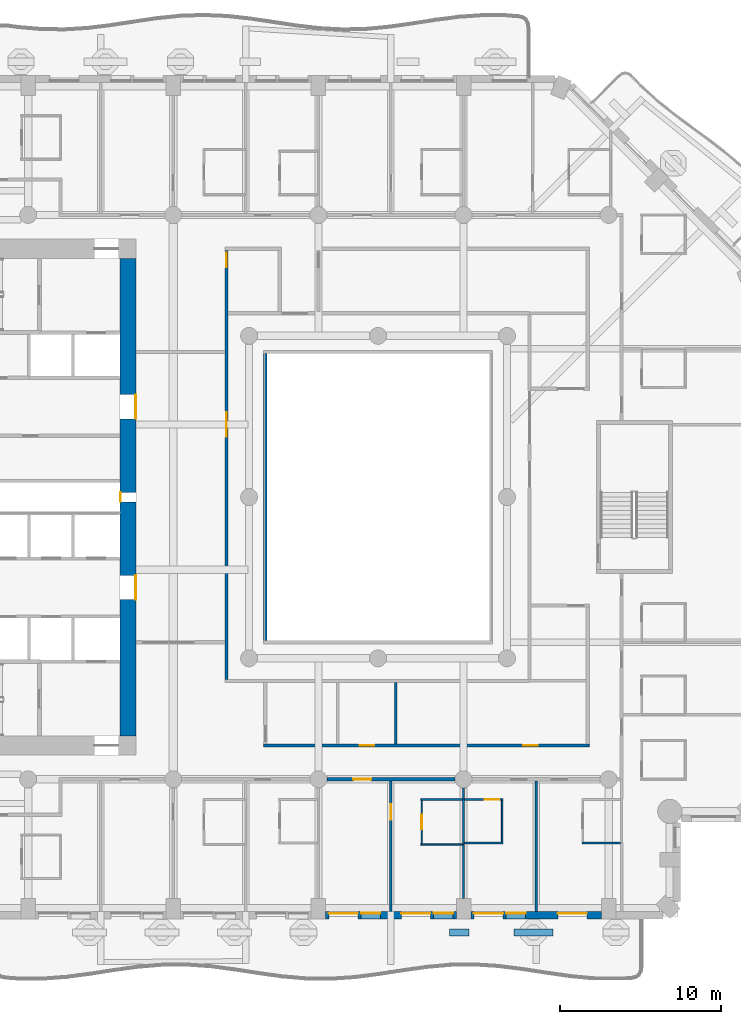
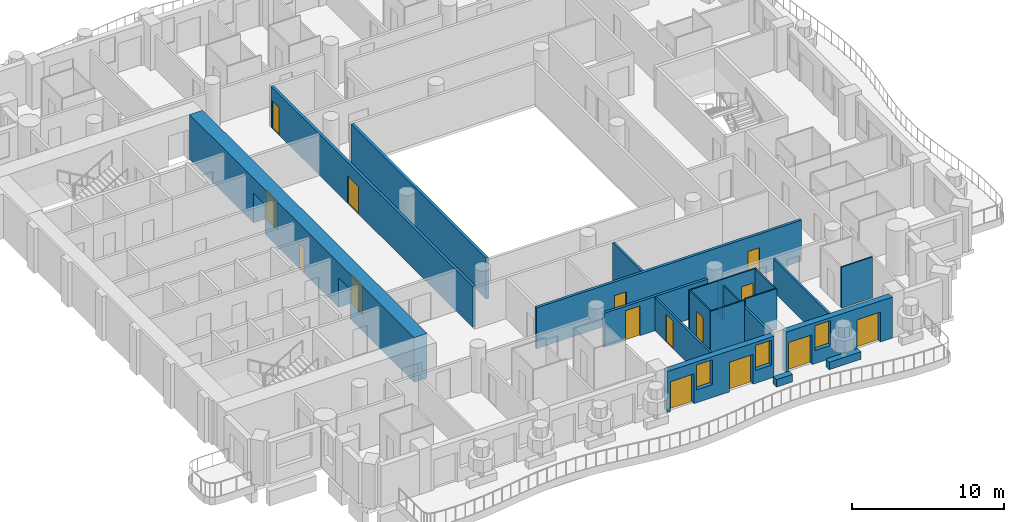
# One storey, part 5 of 20: 21 walls, 15 doors, 3 windows, 18 openings.
"""IFC4 building model written with IfcOpenShell, lengths in metres."""

from ifc_helpers import new_model, si_unit, direction, frame, frame_2d, origin, place, context, subcontext, project, spatial, rectangle, extrude, material, layer, layer_set, type_object, element, fill, save


model = new_model("IFC4")

# Units and contexts
model_context = context("Model", 3, precision=1e-05, world=origin(), true_north=direction((0.0, 1.0)))
body_context = subcontext(model_context, "Body", "Model", "MODEL_VIEW")
ifc_project = project(units=[si_unit("LENGTHUNIT", "METRE"), si_unit("AREAUNIT", "SQUARE_METRE"), si_unit("VOLUMEUNIT", "CUBIC_METRE"), si_unit("PLANEANGLEUNIT", "RADIAN"), si_unit("MASSUNIT", "GRAM", prefix="KILO")], contexts=[model_context])

# Site, building, storey
site_placement = place(None, origin())
site = spatial("IfcSite", under=ifc_project, at=site_placement, CompositionType="ELEMENT")
building_placement = place(site_placement, origin())
building = spatial("IfcBuilding", under=site, at=building_placement, Name="Cypress Arch Tower", CompositionType="ELEMENT")
storey_placement = place(building_placement, frame((0.0, 0.0, 116.699951171875)))
storey = spatial("IfcBuildingStorey", under=building, at=storey_placement, Name="L24", CompositionType="ELEMENT", Elevation=116.699951171875)

# Walls
ifc_material_1 = material(Name="Concrete C40/50, waterproofed", Category="concrete")
ifc_layer_1 = layer(ifc_material_1, 0.449951171875)
ifc_layer_set_1 = layer_set([ifc_layer_1], Name="Balcony planter wall PW450")
wall_type_1 = type_object("IfcWallType", Name="Balcony planter wall PW450", PredefinedType="SOLIDWALL", material=ifc_layer_set_1)
wall_1_placement = place(storey_placement, frame((5.419921875, -27.0, 0.0), z_axis=(0.0, 0.0, 1.0), x_axis=(1.0, 0.0, 0.0)))
element("IfcWall", 1, at=wall_1_placement, inside=storey, type_object=wall_type_1, Name="Balcony planter wall L24-A03.5", PredefinedType="SOLIDWALL", context=body_context, shape_type="SweptSolid", body=[
    extrude(rectangle(XDim=1.22998046875, YDim=0.449951171875, at=frame_2d((0.614990234375, 0.0))), origin(), (0.0, 0.0, 1.0), 0.60009765625),
])
wall_2_placement = place(storey_placement, frame((9.429931640625, -27.0, 0.0), z_axis=(0.0, 0.0, 1.0), x_axis=(1.0, 0.0, 0.0)))
element("IfcWall", 2, at=wall_2_placement, inside=storey, type_object=wall_type_1, Name="Balcony planter wall L24-A03.6", PredefinedType="SOLIDWALL", context=body_context, shape_type="SweptSolid", body=[
    extrude(rectangle(XDim=2.420166015625, YDim=0.449951171875, at=frame_2d((1.2099609375, 0.0))), origin(), (0.0, 0.0, 1.0), 0.60009765625),
])

# Wall, openings, doors, windows
ifc_material_2 = material(Name="Brick (red buff blend)", Category="masonry")
ifc_layer_2 = layer(ifc_material_2, 0.449951171875)
ifc_layer_set_2 = layer_set([ifc_layer_2], Name="Brick pier and spandrel wall BW450")
wall_type_2 = type_object("IfcWallType", Name="Brick pier and spandrel wall BW450", PredefinedType="SOLIDWALL", material=ifc_layer_set_2)
wall_3_placement = place(storey_placement, frame((-2.25, -25.925048828125, 0.0), z_axis=(0.0, 0.0, 1.0), x_axis=(1.0, 0.0, 0.0)))
wall_3 = element("IfcWall", 3, at=wall_3_placement, inside=storey, type_object=wall_type_2, Name="Brick wall L24 A03.3", PredefinedType="SOLIDWALL", context=body_context, shape_type="SweptSolid", body=[
    extrude(rectangle(XDim=8.10009765625, YDim=0.449951171875, at=frame_2d((4.050048828125, 0.0))), origin(), (0.0, 0.0, 1.0), 3.300048828125),
])
opening_1_placement = place(wall_3_placement, frame((0.199951171875, 0.0, 0.0)))
opening_1 = element("IfcOpeningElement", 4, at=opening_1_placement, cuts=wall_3, Name="Opening D-L24-A03.3.1", PredefinedType="OPENING", context=body_context, shape_type="SweptSolid", body=[
    extrude(rectangle(XDim=1.800048828125, YDim=2.39990234375, at=frame_2d((0.89990234375, 1.199951171875))), frame((0.0, 0.23486328125, 0.0), z_axis=(0.0, -1.0, 0.0), x_axis=(1.0, 0.0, 0.0)), (0.0, 0.0, 1.0), 0.469970703125),
])
opening_2_placement = place(wall_3_placement, frame((2.199951171875, 0.0, 1.050048828125)))
opening_2 = element("IfcOpeningElement", 5, at=opening_2_placement, cuts=wall_3, Name="Opening W120HD", PredefinedType="OPENING", context=body_context, shape_type="SweptSolid", body=[
    extrude(rectangle(XDim=1.199951171875, YDim=2.0, at=frame_2d((0.60009765625, 1.0))), frame((0.0, 0.23486328125, 0.0), z_axis=(0.0, -1.0, 0.0), x_axis=(1.0, 0.0, 0.0)), (0.0, 0.0, 1.0), 0.469970703125),
])
opening_3_placement = place(wall_3_placement, frame((4.699951171875, 0.0, 0.0)))
opening_3 = element("IfcOpeningElement", 6, at=opening_3_placement, cuts=wall_3, Name="Opening D-L24-A03.3.2", PredefinedType="OPENING", context=body_context, shape_type="SweptSolid", body=[
    extrude(rectangle(XDim=1.800048828125, YDim=2.39990234375, at=frame_2d((0.89990234375, 1.199951171875))), frame((0.0, 0.23486328125, 0.0), z_axis=(0.0, -1.0, 0.0), x_axis=(1.0, 0.0, 0.0)), (0.0, 0.0, 1.0), 0.469970703125),
])
opening_4_placement = place(wall_3_placement, frame((6.699951171875, 0.0, 1.050048828125)))
opening_4 = element("IfcOpeningElement", 7, at=opening_4_placement, cuts=wall_3, Name="Opening W120HD", PredefinedType="OPENING", context=body_context, shape_type="SweptSolid", body=[
    extrude(rectangle(XDim=1.199951171875, YDim=2.0, at=frame_2d((0.60009765625, 1.0))), frame((0.0, 0.23486328125, 0.0), z_axis=(0.0, -1.0, 0.0), x_axis=(1.0, 0.0, 0.0)), (0.0, 0.0, 1.0), 0.469970703125),
])
ifc_material_3 = material(Name="Anodised aluminium, bronze finish, laminated low-emissivity double glazing, large-missile impact rated", Category="aluminium")
door_type_1 = type_object("IfcDoorType", Name="Balcony sliding door 1800x2400", OperationType="SLIDING_TO_LEFT", PredefinedType="DOOR", material=ifc_material_3)
door_1_placement = place(opening_1_placement, origin())
door_1 = element("IfcDoor", 8, at=door_1_placement, inside=storey, type_object=door_type_1, Name="Balcony door L24 A03.3.1", OperationType="SLIDING_TO_LEFT", OverallHeight=2.39990234375, OverallWidth=1.800048828125, PredefinedType="DOOR", context=body_context, shape_type="SweptSolid", body=[
    extrude(rectangle(XDim=1.800048828125, YDim=2.39990234375, at=frame_2d((0.89990234375, 1.199951171875))), frame((0.0, 0.1298828125, 0.0), z_axis=(0.0, -1.0, 0.0), x_axis=(1.0, 0.0, 0.0)), (0.0, 0.0, 1.0), 0.050048828125),
])
fill(opening_1, door_1)
door_2_placement = place(opening_3_placement, origin())
door_2 = element("IfcDoor", 9, at=door_2_placement, inside=storey, type_object=door_type_1, Name="Balcony door L24 A03.3.2", OperationType="SLIDING_TO_LEFT", OverallHeight=2.39990234375, OverallWidth=1.800048828125, PredefinedType="DOOR", context=body_context, shape_type="SweptSolid", body=[
    extrude(rectangle(XDim=1.800048828125, YDim=2.39990234375, at=frame_2d((0.89990234375, 1.199951171875))), frame((0.0, 0.1298828125, 0.0), z_axis=(0.0, -1.0, 0.0), x_axis=(1.0, 0.0, 0.0)), (0.0, 0.0, 1.0), 0.050048828125),
])
fill(opening_3, door_2)
ifc_material_4 = material(Name="Anodised aluminium, bronze finish, laminated low-emissivity double glazing, large-missile impact rated", Category="aluminium")
window_type = type_object("IfcWindowType", Name="Window Hotel 1200x2000 debris-rated", PartitioningType="SINGLE_PANEL", PredefinedType="WINDOW", material=ifc_material_4)
window_1_placement = place(opening_2_placement, origin())
window_1 = element("IfcWindow", 10, at=window_1_placement, inside=storey, type_object=window_type, Name="Window L24 A03.3.1", OverallHeight=2.0, OverallWidth=1.199951171875, PartitioningType="SINGLE_PANEL", PredefinedType="WINDOW", context=body_context, shape_type="SweptSolid", body=[
    extrude(rectangle(XDim=1.199951171875, YDim=2.0, at=frame_2d((0.60009765625, 1.0))), frame((0.0, 0.135009765625, 0.0), z_axis=(0.0, -1.0, 0.0), x_axis=(1.0, 0.0, 0.0)), (0.0, 0.0, 1.0), 0.06005859375),
])
fill(opening_2, window_1)
window_2_placement = place(opening_4_placement, origin())
window_2 = element("IfcWindow", 11, at=window_2_placement, inside=storey, type_object=window_type, Name="Window L24 A03.3.2", OverallHeight=2.0, OverallWidth=1.199951171875, PartitioningType="SINGLE_PANEL", PredefinedType="WINDOW", context=body_context, shape_type="SweptSolid", body=[
    extrude(rectangle(XDim=1.199951171875, YDim=2.0, at=frame_2d((0.60009765625, 1.0))), frame((0.0, 0.135009765625, 0.0), z_axis=(0.0, -1.0, 0.0), x_axis=(1.0, 0.0, 0.0)), (0.0, 0.0, 1.0), 0.06005859375),
])
fill(opening_4, window_2)

# Wall, openings, doors, window
wall_4_placement = place(storey_placement, frame((6.75, -25.925048828125, 0.0), z_axis=(0.0, 0.0, 1.0), x_axis=(1.0, 0.0, 0.0)))
wall_4 = element("IfcWall", 12, at=wall_4_placement, inside=storey, type_object=wall_type_2, Name="Brick wall L24 A03.4", PredefinedType="SOLIDWALL", context=body_context, shape_type="SweptSolid", body=[
    extrude(rectangle(XDim=8.10009765625, YDim=0.449951171875, at=frame_2d((4.050048828125, 0.0))), origin(), (0.0, 0.0, 1.0), 3.300048828125),
])
opening_5_placement = place(wall_4_placement, frame((0.199951171875, 0.0, 0.0)))
opening_5 = element("IfcOpeningElement", 13, at=opening_5_placement, cuts=wall_4, Name="Opening D-L24-A03.4.1", PredefinedType="OPENING", context=body_context, shape_type="SweptSolid", body=[
    extrude(rectangle(XDim=1.800048828125, YDim=2.39990234375, at=frame_2d((0.89990234375, 1.199951171875))), frame((0.0, 0.23486328125, 0.0), z_axis=(0.0, -1.0, 0.0), x_axis=(1.0, 0.0, 0.0)), (0.0, 0.0, 1.0), 0.469970703125),
])
opening_6_placement = place(wall_4_placement, frame((2.199951171875, 0.0, 1.050048828125)))
opening_6 = element("IfcOpeningElement", 14, at=opening_6_placement, cuts=wall_4, Name="Opening W120HD", PredefinedType="OPENING", context=body_context, shape_type="SweptSolid", body=[
    extrude(rectangle(XDim=1.199951171875, YDim=2.0, at=frame_2d((0.60009765625, 1.0))), frame((0.0, 0.23486328125, 0.0), z_axis=(0.0, -1.0, 0.0), x_axis=(1.0, 0.0, 0.0)), (0.0, 0.0, 1.0), 0.469970703125),
])
opening_7_placement = place(wall_4_placement, frame((5.39990234375, 0.0, 0.0)))
opening_7 = element("IfcOpeningElement", 15, at=opening_7_placement, cuts=wall_4, Name="Opening D-L24-A03.4.2", PredefinedType="OPENING", context=body_context, shape_type="SweptSolid", body=[
    extrude(rectangle(XDim=1.800048828125, YDim=2.39990234375, at=frame_2d((0.89990234375, 1.199951171875))), frame((0.0, 0.23486328125, 0.0), z_axis=(0.0, -1.0, 0.0), x_axis=(1.0, 0.0, 0.0)), (0.0, 0.0, 1.0), 0.469970703125),
])
door_3_placement = place(opening_5_placement, origin())
door_3 = element("IfcDoor", 16, at=door_3_placement, inside=storey, type_object=door_type_1, Name="Balcony door L24 A03.4.1", OperationType="SLIDING_TO_LEFT", OverallHeight=2.39990234375, OverallWidth=1.800048828125, PredefinedType="DOOR", context=body_context, shape_type="SweptSolid", body=[
    extrude(rectangle(XDim=1.800048828125, YDim=2.39990234375, at=frame_2d((0.89990234375, 1.199951171875))), frame((0.0, 0.1298828125, 0.0), z_axis=(0.0, -1.0, 0.0), x_axis=(1.0, 0.0, 0.0)), (0.0, 0.0, 1.0), 0.050048828125),
])
fill(opening_5, door_3)
door_4_placement = place(opening_7_placement, origin())
door_4 = element("IfcDoor", 17, at=door_4_placement, inside=storey, type_object=door_type_1, Name="Balcony door L24 A03.4.2", OperationType="SLIDING_TO_LEFT", OverallHeight=2.39990234375, OverallWidth=1.800048828125, PredefinedType="DOOR", context=body_context, shape_type="SweptSolid", body=[
    extrude(rectangle(XDim=1.800048828125, YDim=2.39990234375, at=frame_2d((0.89990234375, 1.199951171875))), frame((0.0, 0.1298828125, 0.0), z_axis=(0.0, -1.0, 0.0), x_axis=(1.0, 0.0, 0.0)), (0.0, 0.0, 1.0), 0.050048828125),
])
fill(opening_7, door_4)
window_3_placement = place(opening_6_placement, origin())
window_3 = element("IfcWindow", 18, at=window_3_placement, inside=storey, type_object=window_type, Name="Window L24 A03.4.1", OverallHeight=2.0, OverallWidth=1.199951171875, PartitioningType="SINGLE_PANEL", PredefinedType="WINDOW", context=body_context, shape_type="SweptSolid", body=[
    extrude(rectangle(XDim=1.199951171875, YDim=2.0, at=frame_2d((0.60009765625, 1.0))), frame((0.0, 0.135009765625, 0.0), z_axis=(0.0, -1.0, 0.0), x_axis=(1.0, 0.0, 0.0)), (0.0, 0.0, 1.0), 0.06005859375),
])
fill(opening_6, window_3)

# Wall, openings, doors
ifc_material_5 = material(Name="Concrete C80/95", Category="concrete")
ifc_layer_3 = layer(ifc_material_5, 1.0)
ifc_layer_set_3 = layer_set([ifc_layer_3], Name="Core wall CW1000 C80/95")
wall_type_3 = type_object("IfcWallType", Name="Core wall CW1000 C80/95", PredefinedType="SHEAR", material=ifc_layer_set_3)
wall_5_placement = place(storey_placement, frame((-14.5, -14.800048828125, 0.0), z_axis=(0.0, 0.0, 1.0), x_axis=(0.0, 1.0, 0.0)))
wall_5 = element("IfcWall", 19, at=wall_5_placement, inside=storey, type_object=wall_type_3, Name="Core wall", PredefinedType="SHEAR", context=body_context, shape_type="SweptSolid", body=[
    extrude(rectangle(XDim=29.60009765625, YDim=1.0, at=frame_2d((14.800048828125, 0.0))), origin(), (0.0, 0.0, 1.0), 3.60009765625),
])
opening_8_placement = place(wall_5_placement, frame((8.449951171875, 0.0, 0.0)))
opening_8 = element("IfcOpeningElement", 20, at=opening_8_placement, cuts=wall_5, Name="Opening D07", PredefinedType="OPENING", context=body_context, shape_type="SweptSolid", body=[
    extrude(rectangle(XDim=1.5, YDim=2.39990234375, at=frame_2d((0.75, 1.199951171875))), frame((0.0, 0.510009765625, 0.0), z_axis=(0.0, -1.0, 0.0), x_axis=(1.0, 0.0, 0.0)), (0.0, 0.0, 1.0), 1.02001953125),
])
opening_9_placement = place(wall_5_placement, frame((19.64990234375, 0.0, 0.0)))
opening_9 = element("IfcOpeningElement", 21, at=opening_9_placement, cuts=wall_5, Name="Opening D07", PredefinedType="OPENING", context=body_context, shape_type="SweptSolid", body=[
    extrude(rectangle(XDim=1.5, YDim=2.39990234375, at=frame_2d((0.75, 1.199951171875))), frame((0.0, 0.510009765625, 0.0), z_axis=(0.0, -1.0, 0.0), x_axis=(1.0, 0.0, 0.0)), (0.0, 0.0, 1.0), 1.02001953125),
])
opening_10_placement = place(wall_5_placement, frame((14.5, 0.0, 0.0)))
opening_10 = element("IfcOpeningElement", 22, at=opening_10_placement, cuts=wall_5, Name="Opening D08", PredefinedType="OPENING", context=body_context, shape_type="SweptSolid", body=[
    extrude(rectangle(XDim=0.60009765625, YDim=2.0, at=frame_2d((0.300048828125, 1.0))), frame((0.0, 0.510009765625, 0.0), z_axis=(0.0, -1.0, 0.0), x_axis=(1.0, 0.0, 0.0)), (0.0, 0.0, 1.0), 1.02001953125),
])
ifc_material_6 = material(Name="Steel framed glazed door, fire resisting", Category="steel")
door_type_2 = type_object("IfcDoorType", Name="Lobby door D07 1500x2400", OperationType="DOUBLE_DOOR_SINGLE_SWING", PredefinedType="DOOR", material=ifc_material_6)
door_5_placement = place(opening_8_placement, origin())
door_5 = element("IfcDoor", 23, at=door_5_placement, inside=storey, type_object=door_type_2, Name="Lobby door", OperationType="DOUBLE_DOOR_SINGLE_SWING", OverallHeight=2.39990234375, OverallWidth=1.5, PredefinedType="DOOR", context=body_context, shape_type="SweptSolid", body=[
    extrude(rectangle(XDim=1.5, YDim=2.39990234375, at=frame_2d((0.75, 1.199951171875))), frame((0.0, -0.44482421875, 0.0), z_axis=(0.0, -1.0, 0.0), x_axis=(1.0, 0.0, 0.0)), (0.0, 0.0, 1.0), 0.050048828125),
])
fill(opening_8, door_5)
door_6_placement = place(opening_9_placement, origin())
door_6 = element("IfcDoor", 24, at=door_6_placement, inside=storey, type_object=door_type_2, Name="Lobby door", OperationType="DOUBLE_DOOR_SINGLE_SWING", OverallHeight=2.39990234375, OverallWidth=1.5, PredefinedType="DOOR", context=body_context, shape_type="SweptSolid", body=[
    extrude(rectangle(XDim=1.5, YDim=2.39990234375, at=frame_2d((0.75, 1.199951171875))), frame((0.0, -0.44482421875, 0.0), z_axis=(0.0, -1.0, 0.0), x_axis=(1.0, 0.0, 0.0)), (0.0, 0.0, 1.0), 0.050048828125),
])
fill(opening_9, door_6)
ifc_material_7 = material(Name="Steel access door, fire resisting", Category="steel")
door_type_3 = type_object("IfcDoorType", Name="Riser access door D08 600x2000", OperationType="SINGLE_SWING_LEFT", PredefinedType="DOOR", material=ifc_material_7)
door_7_placement = place(opening_10_placement, origin())
door_7 = element("IfcDoor", 25, at=door_7_placement, inside=storey, type_object=door_type_3, Name="Riser access door", OperationType="SINGLE_SWING_RIGHT", OverallHeight=2.0, OverallWidth=0.60009765625, PredefinedType="DOOR", context=body_context, shape_type="SweptSolid", body=[
    extrude(rectangle(XDim=0.60009765625, YDim=2.0, at=frame_2d((0.300048828125, 1.0))), frame((0.0, 0.4951171875, 0.0), z_axis=(0.0, -1.0, 0.0), x_axis=(1.0, 0.0, 0.0)), (0.0, 0.0, 1.0), 0.050048828125),
])
fill(opening_10, door_7)

# Wall, opening, door
ifc_material_8 = material(Name="Concrete blockwork, plastered, rated", Category="masonry")
ifc_layer_4 = layer(ifc_material_8, 0.199951171875)
ifc_layer_set_4 = layer_set([ifc_layer_4], Name="Corridor wall FW200")
wall_type_4 = type_object("IfcWallType", Name="Corridor wall FW200", PredefinedType="PARTITIONING", material=ifc_layer_set_4)
wall_6_placement = place(storey_placement, frame((-2.175048828125, -17.5, 0.0), z_axis=(0.0, 0.0, 1.0), x_axis=(1.0, 0.0, 0.0)))
wall_6 = element("IfcWall", 26, at=wall_6_placement, inside=storey, type_object=wall_type_4, Name="Corridor wall", PredefinedType="PARTITIONING", context=body_context, shape_type="SweptSolid", body=[
    extrude(rectangle(XDim=7.949951171875, YDim=0.199951171875, at=frame_2d((3.97509765625, 0.0))), origin(), (0.0, 0.0, 1.0), 2.75),
])
opening_11_placement = place(wall_6_placement, frame((1.64990234375, 0.0, 0.0)))
opening_11 = element("IfcOpeningElement", 27, at=opening_11_placement, cuts=wall_6, Name="Opening D01", PredefinedType="OPENING", context=body_context, shape_type="SweptSolid", body=[
    extrude(rectangle(XDim=1.10009765625, YDim=2.39990234375, at=frame_2d((0.550048828125, 1.199951171875))), frame((0.0, 0.10986328125, 0.0), z_axis=(0.0, -1.0, 0.0), x_axis=(1.0, 0.0, 0.0)), (0.0, 0.0, 1.0), 0.219970703125),
])
ifc_material_9 = material(Name="Timber flush door, fire resisting, self-closing", Category="wood")
door_type_4 = type_object("IfcDoorType", Name="Unit entrance door D01 1100x2400", OperationType="SINGLE_SWING_LEFT", PredefinedType="DOOR", material=ifc_material_9)
door_8_placement = place(opening_11_placement, origin())
door_8 = element("IfcDoor", 28, at=door_8_placement, inside=storey, type_object=door_type_4, Name="Unit entrance door", OperationType="SINGLE_SWING_LEFT", OverallHeight=2.39990234375, OverallWidth=1.10009765625, PredefinedType="DOOR", context=body_context, shape_type="SweptSolid", body=[
    extrude(rectangle(XDim=1.10009765625, YDim=2.39990234375, at=frame_2d((0.550048828125, 1.199951171875))), frame((0.0, 0.02490234375, 0.0), z_axis=(0.0, -1.0, 0.0), x_axis=(1.0, 0.0, 0.0)), (0.0, 0.0, 1.0), 0.050048828125),
])
fill(opening_11, door_8)

# Wall, openings, doors
wall_7_placement = place(storey_placement, frame((-8.39990234375, -11.300048828125, 0.0), z_axis=(0.0, 0.0, 1.0), x_axis=(0.0, 1.0, 0.0)))
wall_7 = element("IfcWall", 29, at=wall_7_placement, inside=storey, type_object=wall_type_4, Name="Corridor wall", PredefinedType="PARTITIONING", context=body_context, shape_type="SweptSolid", body=[
    extrude(rectangle(XDim=26.60009765625, YDim=0.199951171875, at=frame_2d((13.300048828125, 0.0))), origin(), (0.0, 0.0, 1.0), 3.300048828125),
])
opening_12_placement = place(wall_7_placement, frame((15.050048828125, 0.0, 0.0)))
opening_12 = element("IfcOpeningElement", 30, at=opening_12_placement, cuts=wall_7, Name="Opening D04", PredefinedType="OPENING", context=body_context, shape_type="SweptSolid", body=[
    extrude(rectangle(XDim=1.5, YDim=2.199951171875, at=frame_2d((0.75, 1.10009765625))), frame((0.0, 0.10986328125, 0.0), z_axis=(0.0, -1.0, 0.0), x_axis=(1.0, 0.0, 0.0)), (0.0, 0.0, 1.0), 0.219970703125),
])
opening_13_placement = place(wall_7_placement, frame((25.550048828125, 0.0, 0.0)))
opening_13 = element("IfcOpeningElement", 31, at=opening_13_placement, cuts=wall_7, Name="Opening D05", PredefinedType="OPENING", context=body_context, shape_type="SweptSolid", body=[
    extrude(rectangle(XDim=0.89990234375, YDim=2.199951171875, at=frame_2d((0.449951171875, 1.10009765625))), frame((0.0, 0.10986328125, 0.0), z_axis=(0.0, -1.0, 0.0), x_axis=(1.0, 0.0, 0.0)), (0.0, 0.0, 1.0), 0.219970703125),
])
ifc_material_10 = material(Name="Timber double door", Category="wood")
door_type_5 = type_object("IfcDoorType", Name="Double door D04 1500x2200", OperationType="DOUBLE_DOOR_SINGLE_SWING", PredefinedType="DOOR", material=ifc_material_10)
door_9_placement = place(opening_12_placement, origin())
door_9 = element("IfcDoor", 32, at=door_9_placement, inside=storey, type_object=door_type_5, Name="Double door", OperationType="DOUBLE_DOOR_SINGLE_SWING", OverallHeight=2.199951171875, OverallWidth=1.5, PredefinedType="DOOR", context=body_context, shape_type="SweptSolid", body=[
    extrude(rectangle(XDim=1.5, YDim=2.199951171875, at=frame_2d((0.75, 1.10009765625))), frame((0.0, 0.02490234375, 0.0), z_axis=(0.0, -1.0, 0.0), x_axis=(1.0, 0.0, 0.0)), (0.0, 0.0, 1.0), 0.050048828125),
])
fill(opening_12, door_9)
ifc_material_11 = material(Name="Timber flush door", Category="wood")
door_type_6 = type_object("IfcDoorType", Name="Service door D05 900x2200", OperationType="SINGLE_SWING_LEFT", PredefinedType="DOOR", material=ifc_material_11)
door_10_placement = place(opening_13_placement, origin())
door_10 = element("IfcDoor", 33, at=door_10_placement, inside=storey, type_object=door_type_6, Name="Service door", OperationType="SINGLE_SWING_LEFT", OverallHeight=2.199951171875, OverallWidth=0.89990234375, PredefinedType="DOOR", context=body_context, shape_type="SweptSolid", body=[
    extrude(rectangle(XDim=0.89990234375, YDim=2.199951171875, at=frame_2d((0.449951171875, 1.10009765625))), frame((0.0, 0.02490234375, 0.0), z_axis=(0.0, -1.0, 0.0), x_axis=(1.0, 0.0, 0.0)), (0.0, 0.0, 1.0), 0.050048828125),
])
fill(opening_13, door_10)

wall_8_placement = place(storey_placement, frame((-6.10009765625, -15.39990234375, 0.0), z_axis=(0.0, 0.0, 1.0), x_axis=(1.0, 0.0, 0.0)))
wall_8 = element("IfcWall", 34, at=wall_8_placement, inside=storey, type_object=wall_type_4, Name="Corridor wall", PredefinedType="PARTITIONING", context=body_context, shape_type="SweptSolid", body=[
    extrude(rectangle(XDim=20.2001953125, YDim=0.199951171875, at=frame_2d((10.10009765625, 0.0))), origin(), (0.0, 0.0, 1.0), 3.300048828125),
])
opening_14_placement = place(wall_8_placement, frame((5.949951171875, 0.0, 0.0)))
opening_14 = element("IfcOpeningElement", 35, at=opening_14_placement, cuts=wall_8, Name="Opening D05", PredefinedType="OPENING", context=body_context, shape_type="SweptSolid", body=[
    extrude(rectangle(XDim=0.89990234375, YDim=2.199951171875, at=frame_2d((0.449951171875, 1.10009765625))), frame((0.0, 0.10986328125, 0.0), z_axis=(0.0, -1.0, 0.0), x_axis=(1.0, 0.0, 0.0)), (0.0, 0.0, 1.0), 0.219970703125),
])
opening_15_placement = place(wall_8_placement, frame((16.10009765625, 0.0, 0.0)))
opening_15 = element("IfcOpeningElement", 36, at=opening_15_placement, cuts=wall_8, Name="Opening D05", PredefinedType="OPENING", context=body_context, shape_type="SweptSolid", body=[
    extrude(rectangle(XDim=0.89990234375, YDim=2.199951171875, at=frame_2d((0.449951171875, 1.10009765625))), frame((0.0, 0.10986328125, 0.0), z_axis=(0.0, -1.0, 0.0), x_axis=(1.0, 0.0, 0.0)), (0.0, 0.0, 1.0), 0.219970703125),
])
door_11_placement = place(opening_14_placement, origin())
door_11 = element("IfcDoor", 37, at=door_11_placement, inside=storey, type_object=door_type_6, Name="Service door", OperationType="SINGLE_SWING_LEFT", OverallHeight=2.199951171875, OverallWidth=0.89990234375, PredefinedType="DOOR", context=body_context, shape_type="SweptSolid", body=[
    extrude(rectangle(XDim=0.89990234375, YDim=2.199951171875, at=frame_2d((0.449951171875, 1.10009765625))), frame((0.0, 0.02490234375, 0.0), z_axis=(0.0, -1.0, 0.0), x_axis=(1.0, 0.0, 0.0)), (0.0, 0.0, 1.0), 0.050048828125),
])
fill(opening_14, door_11)
door_12_placement = place(opening_15_placement, origin())
door_12 = element("IfcDoor", 38, at=door_12_placement, inside=storey, type_object=door_type_6, Name="Service door", OperationType="SINGLE_SWING_RIGHT", OverallHeight=2.199951171875, OverallWidth=0.89990234375, PredefinedType="DOOR", context=body_context, shape_type="SweptSolid", body=[
    extrude(rectangle(XDim=0.89990234375, YDim=2.199951171875, at=frame_2d((0.449951171875, 1.10009765625))), frame((0.0, 0.02490234375, 0.0), z_axis=(0.0, -1.0, 0.0), x_axis=(1.0, 0.0, 0.0)), (0.0, 0.0, 1.0), 0.050048828125),
])
fill(opening_15, door_12)

# Wall
wall_9_placement = place(storey_placement, frame((-6.0, -8.89990234375, 0.0), z_axis=(0.0, 0.0, 1.0), x_axis=(0.0, 1.0, 0.0)))
element("IfcWall", 39, at=wall_9_placement, inside=storey, type_object=wall_type_4, Name="Corridor wall", PredefinedType="PARTITIONING", context=body_context, shape_type="SweptSolid", body=[
    extrude(rectangle(XDim=17.7998046875, YDim=0.199951171875, at=frame_2d((8.89990234375, 0.0))), origin(), (0.0, 0.0, 1.0), 3.300048828125),
])

# Wall, opening, door
ifc_material_12 = material(Name="Blockwork, plastered both sides", Category="masonry")
ifc_layer_5 = layer(ifc_material_12, 0.14990234375)
ifc_layer_set_5 = layer_set([ifc_layer_5], Name="Partition PW150")
wall_type_5 = type_object("IfcWallType", Name="Partition PW150", PredefinedType="PARTITIONING", material=ifc_layer_set_5)
wall_10_placement = place(storey_placement, frame((1.800048828125, -25.699951171875, 0.0), z_axis=(0.0, 0.0, 1.0), x_axis=(0.0, 1.0, 0.0)))
wall_10 = element("IfcWall", 40, at=wall_10_placement, inside=storey, type_object=wall_type_5, Name="Partition", PredefinedType="PARTITIONING", context=body_context, shape_type="SweptSolid", body=[
    extrude(rectangle(XDim=8.099853515625, YDim=0.14990234375, at=frame_2d((4.0498046875, 0.0))), origin(), (0.0, 0.0, 1.0), 2.650146484375),
])
opening_16_placement = place(wall_10_placement, frame((5.699951171875, 0.0, 0.0)))
opening_16 = element("IfcOpeningElement", 41, at=opening_16_placement, cuts=wall_10, Name="Opening D12", PredefinedType="OPENING", context=body_context, shape_type="SweptSolid", body=[
    extrude(rectangle(XDim=0.949951171875, YDim=2.199951171875, at=frame_2d((0.47509765625, 1.10009765625))), frame((0.0, 0.0849609375, 0.0), z_axis=(0.0, -1.0, 0.0), x_axis=(1.0, 0.0, 0.0)), (0.0, 0.0, 1.0), 0.169921875),
])
ifc_material_13 = material(Name="Timber flush door", Category="wood")
door_type_7 = type_object("IfcDoorType", Name="Room door D12 950x2200", OperationType="SINGLE_SWING_LEFT", PredefinedType="DOOR", material=ifc_material_13)
door_13_placement = place(opening_16_placement, origin())
door_13 = element("IfcDoor", 42, at=door_13_placement, inside=storey, type_object=door_type_7, Name="Room door", OperationType="SINGLE_SWING_RIGHT", OverallHeight=2.199951171875, OverallWidth=0.949951171875, PredefinedType="DOOR", context=body_context, shape_type="SweptSolid", body=[
    extrude(rectangle(XDim=0.949951171875, YDim=2.199951171875, at=frame_2d((0.47509765625, 1.10009765625))), frame((0.0, 0.02490234375, 0.0), z_axis=(0.0, -1.0, 0.0), x_axis=(1.0, 0.0, 0.0)), (0.0, 0.0, 1.0), 0.050048828125),
])
fill(opening_16, door_13)

# Walls
wall_11_placement = place(storey_placement, frame((2.10009765625, -15.300048828125, 0.0), z_axis=(0.0, 0.0, 1.0), x_axis=(0.0, 1.0, 0.0)))
element("IfcWall", 43, at=wall_11_placement, inside=storey, type_object=wall_type_5, Name="Partition", PredefinedType="PARTITIONING", context=body_context, shape_type="SweptSolid", body=[
    extrude(rectangle(XDim=3.800048828125, YDim=0.14990234375, at=frame_2d((1.89990234375, 0.0))), origin(), (0.0, 0.0, 1.0), 3.300048828125),
])
wall_12_placement = place(storey_placement, frame((6.300048828125, -24.89990234375, 0.0), z_axis=(0.0, 0.0, 1.0), x_axis=(0.0, 1.0, 0.0)))
element("IfcWall", 44, at=wall_12_placement, inside=storey, type_object=wall_type_5, Name="Partition", PredefinedType="PARTITIONING", context=body_context, shape_type="SweptSolid", body=[
    extrude(rectangle(XDim=3.349853515625, YDim=0.14990234375, at=frame_2d((1.6748046875, 0.0))), origin(), (0.0, 0.0, 1.0), 2.75),
])
wall_13_placement = place(storey_placement, frame((6.300048828125, -18.72998046875, 0.0), z_axis=(0.0, 0.0, 1.0), x_axis=(0.0, 1.0, 0.0)))
element("IfcWall", 45, at=wall_13_placement, inside=storey, type_object=wall_type_5, Name="Partition", PredefinedType="PARTITIONING", context=body_context, shape_type="SweptSolid", body=[
    extrude(rectangle(XDim=0.705078125, YDim=0.14990234375, at=frame_2d((0.3525390625, 0.0))), origin(), (0.0, 0.0, 1.0), 2.75),
])
wall_14_placement = place(storey_placement, frame((10.800048828125, -25.699951171875, 0.0), z_axis=(0.0, 0.0, 1.0), x_axis=(0.0, 1.0, 0.0)))
element("IfcWall", 46, at=wall_14_placement, inside=storey, type_object=wall_type_5, Name="Partition", PredefinedType="PARTITIONING", context=body_context, shape_type="SweptSolid", body=[
    extrude(rectangle(XDim=8.099853515625, YDim=0.14990234375, at=frame_2d((4.0498046875, 0.0))), origin(), (0.0, 0.0, 1.0), 2.650146484375),
])

# Wall, opening, door
ifc_material_14 = material(Name="Moisture resistant board on steel studs, tiled", Category="steel")
ifc_layer_6 = layer(ifc_material_14, 0.10009765625)
ifc_layer_set_6 = layer_set([ifc_layer_6], Name="Wet wall PW100")
wall_type_6 = type_object("IfcWallType", Name="Wet wall PW100", PredefinedType="PARTITIONING", material=ifc_layer_set_6)
wall_15_placement = place(storey_placement, frame((3.7041015625, -21.5, 0.0), z_axis=(0.0, 0.0, 1.0), x_axis=(0.0, 1.0, 0.0)))
wall_15 = element("IfcWall", 47, at=wall_15_placement, inside=storey, type_object=wall_type_6, Name="Wet wall", PredefinedType="PARTITIONING", context=body_context, shape_type="SweptSolid", body=[
    extrude(rectangle(XDim=2.699951171875, YDim=0.10009765625, at=frame_2d((1.35009765625, 0.0))), origin(), (0.0, 0.0, 1.0), 3.300048828125),
])
opening_17_placement = place(wall_15_placement, frame((0.89990234375, 0.0, 0.0)))
opening_17 = element("IfcOpeningElement", 48, at=opening_17_placement, cuts=wall_15, Name="Opening D03", PredefinedType="OPENING", context=body_context, shape_type="SweptSolid", body=[
    extrude(rectangle(XDim=0.89990234375, YDim=2.199951171875, at=frame_2d((0.449951171875, 1.10009765625))), frame((0.0, 0.06005859375, 0.0), z_axis=(0.0, -1.0, 0.0), x_axis=(1.0, 0.0, 0.0)), (0.0, 0.0, 1.0), 0.1201171875),
])
ifc_material_15 = material(Name="Timber flush door, moisture resistant", Category="wood")
door_type_8 = type_object("IfcDoorType", Name="Bathroom door D03 900x2200", OperationType="SINGLE_SWING_LEFT", PredefinedType="DOOR", material=ifc_material_15)
door_14_placement = place(opening_17_placement, origin())
door_14 = element("IfcDoor", 49, at=door_14_placement, inside=storey, type_object=door_type_8, Name="Bathroom door", OperationType="SINGLE_SWING_LEFT", OverallHeight=2.199951171875, OverallWidth=0.89990234375, PredefinedType="DOOR", context=body_context, shape_type="SweptSolid", body=[
    extrude(rectangle(XDim=0.89990234375, YDim=2.199951171875, at=frame_2d((0.449951171875, 1.10009765625))), frame((0.0, 0.02490234375, 0.0), z_axis=(0.0, -1.0, 0.0), x_axis=(1.0, 0.0, 0.0)), (0.0, 0.0, 1.0), 0.050048828125),
])
fill(opening_17, door_14)

# Wall
wall_16_placement = place(storey_placement, frame((3.654052734375, -21.550048828125, 0.0), z_axis=(0.0, 0.0, 1.0), x_axis=(1.0, 0.0, 0.0)))
element("IfcWall", 50, at=wall_16_placement, inside=storey, type_object=wall_type_6, Name="Wet wall", PredefinedType="PARTITIONING", context=body_context, shape_type="SweptSolid", body=[
    extrude(rectangle(XDim=2.571044921875, YDim=0.10009765625, at=frame_2d((1.28564453125, 0.0))), origin(), (0.0, 0.0, 1.0), 3.300048828125),
])

# Wall, opening, door
wall_17_placement = place(storey_placement, frame((3.654052734375, -18.75, 0.0), z_axis=(0.0, 0.0, 1.0), x_axis=(1.0, 0.0, 0.0)))
wall_17 = element("IfcWall", 51, at=wall_17_placement, inside=storey, type_object=wall_type_6, Name="Wet wall", PredefinedType="PARTITIONING", context=body_context, shape_type="SweptSolid", body=[
    extrude(rectangle(XDim=5.092041015625, YDim=0.10009765625, at=frame_2d((2.5458984375, 0.0))), origin(), (0.0, 0.0, 1.0), 3.300048828125),
])
opening_18_placement = place(wall_17_placement, frame((3.949951171875, 0.0, 0.0)))
opening_18 = element("IfcOpeningElement", 52, at=opening_18_placement, cuts=wall_17, Name="Opening D03", PredefinedType="OPENING", context=body_context, shape_type="SweptSolid", body=[
    extrude(rectangle(XDim=0.89990234375, YDim=2.199951171875, at=frame_2d((0.449951171875, 1.10009765625))), frame((0.0, 0.06005859375, 0.0), z_axis=(0.0, -1.0, 0.0), x_axis=(1.0, 0.0, 0.0)), (0.0, 0.0, 1.0), 0.1201171875),
])
door_15_placement = place(opening_18_placement, origin())
door_15 = element("IfcDoor", 53, at=door_15_placement, inside=storey, type_object=door_type_8, Name="Bathroom door", OperationType="SINGLE_SWING_LEFT", OverallHeight=2.199951171875, OverallWidth=0.89990234375, PredefinedType="DOOR", context=body_context, shape_type="SweptSolid", body=[
    extrude(rectangle(XDim=0.89990234375, YDim=2.199951171875, at=frame_2d((0.449951171875, 1.10009765625))), frame((0.0, 0.02490234375, 0.0), z_axis=(0.0, -1.0, 0.0), x_axis=(1.0, 0.0, 0.0)), (0.0, 0.0, 1.0), 0.050048828125),
])
fill(opening_18, door_15)

# Walls
wall_18_placement = place(storey_placement, frame((6.300048828125, -21.550048828125, 0.0), z_axis=(0.0, 0.0, 1.0), x_axis=(0.0, 1.0, 0.0)))
element("IfcWall", 54, at=wall_18_placement, inside=storey, type_object=wall_type_6, Name="Wet wall", PredefinedType="PARTITIONING", context=body_context, shape_type="SweptSolid", body=[
    extrude(rectangle(XDim=2.820068359375, YDim=0.10009765625, at=frame_2d((1.41015625, 0.0))), origin(), (0.0, 0.0, 1.0), 2.75),
])
wall_19_placement = place(storey_placement, frame((6.35009765625, -21.449951171875, 0.0), z_axis=(0.0, 0.0, 1.0), x_axis=(1.0, 0.0, 0.0)))
element("IfcWall", 55, at=wall_19_placement, inside=storey, type_object=wall_type_6, Name="Wet wall", PredefinedType="PARTITIONING", context=body_context, shape_type="SweptSolid", body=[
    extrude(rectangle(XDim=2.39599609375, YDim=0.10009765625, at=frame_2d((1.197998046875, 0.0))), origin(), (0.0, 0.0, 1.0), 3.300048828125),
])
wall_20_placement = place(storey_placement, frame((8.696044921875, -21.39990234375, 0.0), z_axis=(0.0, 0.0, 1.0), x_axis=(0.0, 1.0, 0.0)))
element("IfcWall", 56, at=wall_20_placement, inside=storey, type_object=wall_type_6, Name="Wet wall", PredefinedType="PARTITIONING", context=body_context, shape_type="SweptSolid", body=[
    extrude(rectangle(XDim=2.599853515625, YDim=0.10009765625, at=frame_2d((1.2998046875, 0.0))), origin(), (0.0, 0.0, 1.0), 3.300048828125),
])
wall_21_placement = place(storey_placement, frame((13.64990234375, -21.449951171875, 0.0), z_axis=(0.0, 0.0, 1.0), x_axis=(1.0, 0.0, 0.0)))
element("IfcWall", 57, at=wall_21_placement, inside=storey, type_object=wall_type_6, Name="Wet wall", PredefinedType="PARTITIONING", context=body_context, shape_type="SweptSolid", body=[
    extrude(rectangle(XDim=2.375, YDim=0.10009765625, at=frame_2d((1.1875, 0.0))), origin(), (0.0, 0.0, 1.0), 3.300048828125),
])

save(model, "model.ifc")
